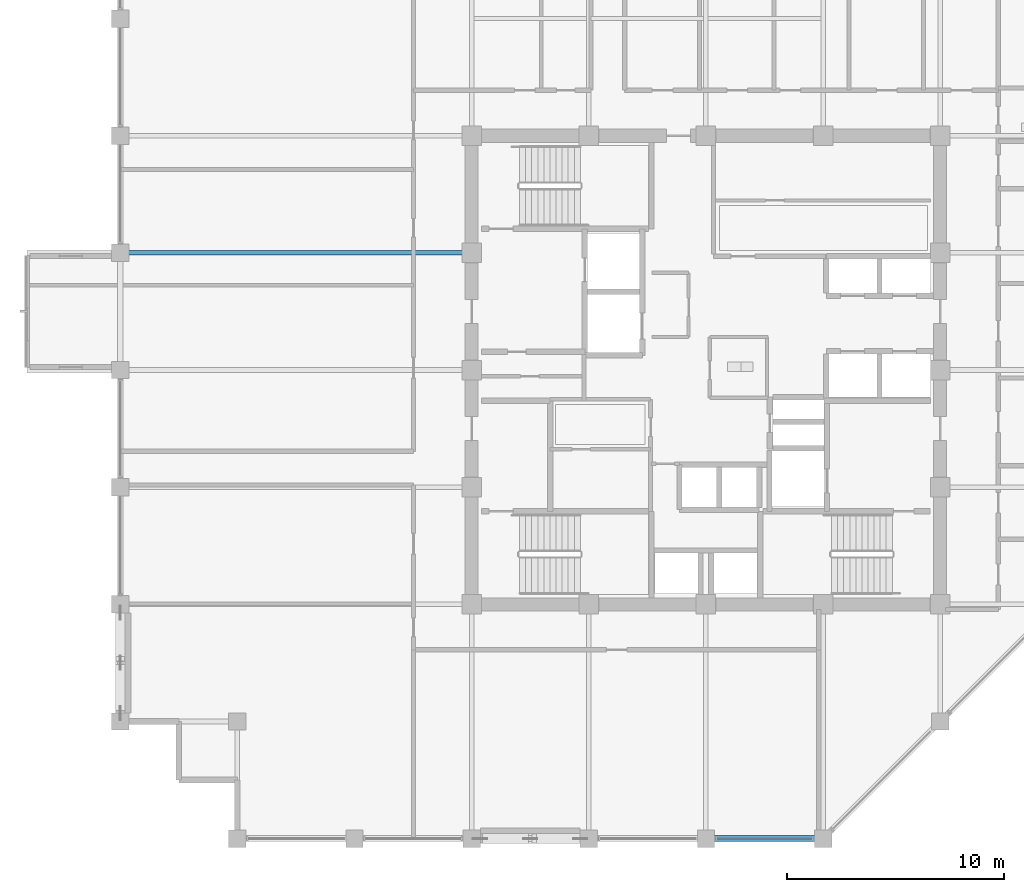
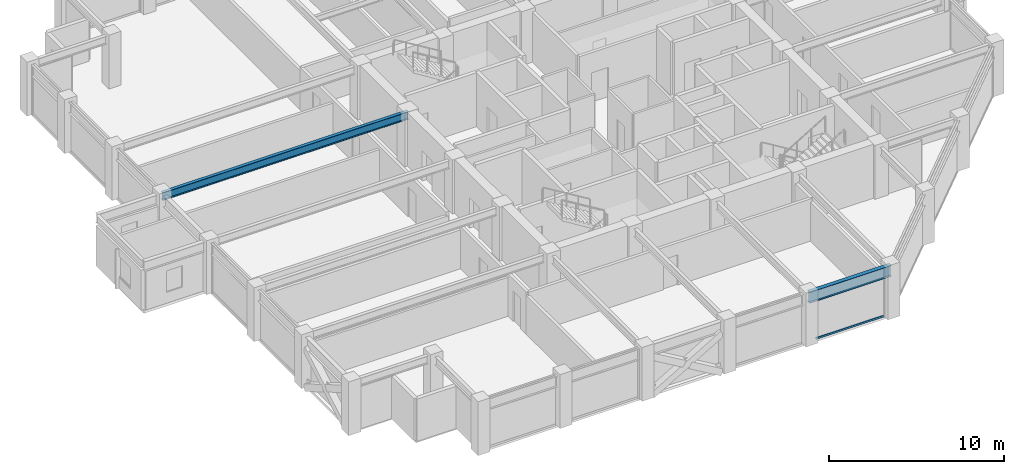
# One storey, part 8 of 28: 2 beams, 1 member, 1 element without a shape of its own.
"""IFC4 building model written with IfcOpenShell, lengths in metres."""

from ifc_helpers import new_model, si_unit, direction, frame, origin, origin_2d, place, context, subcontext, project, spatial, hollow_rectangle, i_section, extrude, material, layer, layer_set, material_profile, profile_set, type_object, element, aggregate, save


model = new_model("IFC4")

# Units and contexts
model_context = context("Model", 3, precision=1e-05, world=origin(), true_north=direction((0.0, 1.0)))
body_context = subcontext(model_context, "Body", "Model", "MODEL_VIEW")
ifc_project = project(units=[si_unit("LENGTHUNIT", "METRE"), si_unit("AREAUNIT", "SQUARE_METRE"), si_unit("VOLUMEUNIT", "CUBIC_METRE"), si_unit("PLANEANGLEUNIT", "RADIAN"), si_unit("MASSUNIT", "GRAM", prefix="KILO")], contexts=[model_context])

# Site, building, storey
site_placement = place(None, origin())
site = spatial("IfcSite", under=ifc_project, at=site_placement, CompositionType="ELEMENT")
building_placement = place(site_placement, origin())
building = spatial("IfcBuilding", under=site, at=building_placement, Name="Surkhivell Harbour Commons", CompositionType="ELEMENT")
storey_placement = place(building_placement, frame((0.0, 0.0, 246.0)))
storey = spatial("IfcBuildingStorey", under=building, at=storey_placement, Name="L64", CompositionType="ELEMENT", Elevation=246.0)

# Beams
ifc_material_1 = material(Name="Steel S355", Category="steel")
ifc_material_profile_1 = material_profile(ifc_material_1, i_section(OverallWidth=0.2119140625, OverallDepth=0.5439453125, WebThickness=0.0126953125, FlangeThickness=0.021240234375, at=origin_2d()), Name="UB533x210x122")
ifc_profile_set_1 = profile_set([ifc_material_profile_1], Name="Steel S355")
beam_type_1 = type_object("IfcBeamType", Name="BM-GRD-533A", PredefinedType="BEAM", material=ifc_profile_set_1)
beam_1_placement = place(storey_placement, frame((-27.0, 5.39990234375, 3.22802734375), z_axis=(1.0, 0.0, 0.0), x_axis=(0.0, 1.0, 0.0)))
element("IfcBeam", 1, at=beam_1_placement, inside=storey, type_object=beam_type_1, Name="L64 Cantilever Back-Span Girder (-27.0,5.4)", PredefinedType="BEAM", context=body_context, shape_type="SweptSolid", body=[
    extrude(i_section(OverallWidth=0.2119140625, OverallDepth=0.5439453125, WebThickness=0.0126953125, FlangeThickness=0.021240234375, at=origin_2d()), origin(), (0.0, 0.0, 1.0), 16.199951171875),
])
ifc_material_profile_2 = material_profile(ifc_material_1, i_section(OverallWidth=0.26806640625, OverallDepth=0.77001953125, WebThickness=0.015625, FlangeThickness=0.025390625, at=origin_2d()), Name="UB762x267x197")
ifc_profile_set_2 = profile_set([ifc_material_profile_2], Name="Steel S355")
beam_type_2 = type_object("IfcBeamType", Name="BM-SPN-762", PredefinedType="SPANDREL", material=ifc_profile_set_2)
beam_2_placement = place(storey_placement, frame((0.0, -21.60009765625, 3.114990234375), z_axis=(1.0, 0.0, 0.0), x_axis=(0.0, 1.0, 0.0)))
element("IfcBeam", 2, at=beam_2_placement, inside=storey, type_object=beam_type_2, Name="L64 Tube Spandrel (-0.0,-21.6)", PredefinedType="SPANDREL", context=body_context, shape_type="SweptSolid", body=[
    extrude(i_section(OverallWidth=0.26806640625, OverallDepth=0.77001953125, WebThickness=0.015625, FlangeThickness=0.025390625, at=origin_2d()), origin(), (0.0, 0.0, 1.0), 5.39990234375),
])

# Curtain wall, member
ifc_material_2 = material(Name="Anodised pale-metal aluminium and insulated glazing", Category="aluminium")
ifc_layer = layer(ifc_material_2, 0.18994140625)
ifc_layer_set = layer_set([ifc_layer], Name="Anodised pale-metal aluminium and insulated glazing")
curtain_wall_type = type_object("IfcCurtainWallType", Name="CW-SYS-Z3", PredefinedType="NOTDEFINED", material=ifc_layer_set)
curtain_wall_placement = place(storey_placement, origin())
curtain_wall = element("IfcCurtainWall", 3, at=curtain_wall_placement, inside=storey, type_object=curtain_wall_type, Name="L64 Curtain Wall CW-L64-E00S2", PredefinedType="NOTDEFINED")
ifc_material_3 = material(Name="Champagne anodised aluminium alloy 6063-T6", Category="aluminium")
ifc_material_profile_3 = material_profile(ifc_material_3, hollow_rectangle(XDim=0.070068359375, YDim=0.1298828125, WallThickness=0.00341796875, at=origin_2d()), Name="ALU-TRAN-70x130")
ifc_profile_set_3 = profile_set([ifc_material_profile_3], Name="Champagne anodised aluminium alloy 6063-T6")
member_type = type_object("IfcMemberType", Name="CWT-130", PredefinedType="USERDEFINED", material=ifc_profile_set_3)
member_placement = place(storey_placement, frame((0.47705078125, -21.60009765625, 0.06494140625), z_axis=(1.0, 0.0, 0.0), x_axis=(0.0, 1.0, 0.0)))
member = element("IfcMember", 4, at=member_placement, type_object=member_type, Name="CW-Z3 transom 2.1", ObjectType="TRANSOM", PredefinedType="USERDEFINED", context=body_context, shape_type="SweptSolid", body=[
    extrude(hollow_rectangle(XDim=0.070068359375, YDim=0.1298828125, WallThickness=0.00341796875, at=origin_2d()), origin(), (0.0, 0.0, 1.0), 4.446044921875),
])
aggregate(curtain_wall, [member])

save(model, "model.ifc")
